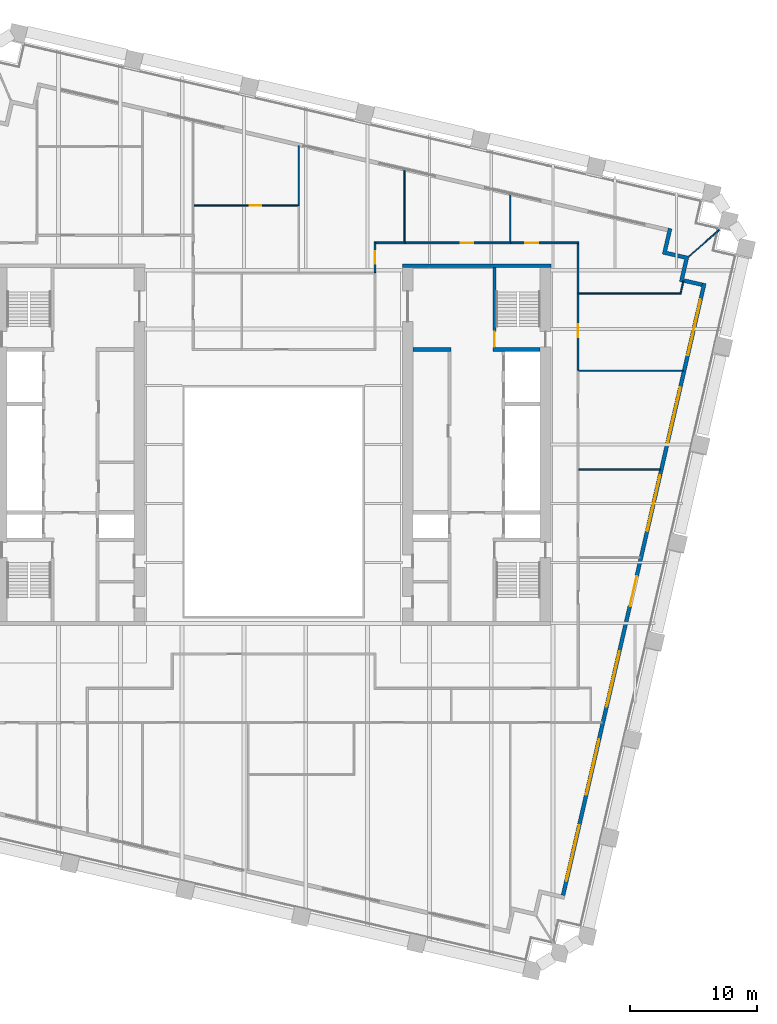
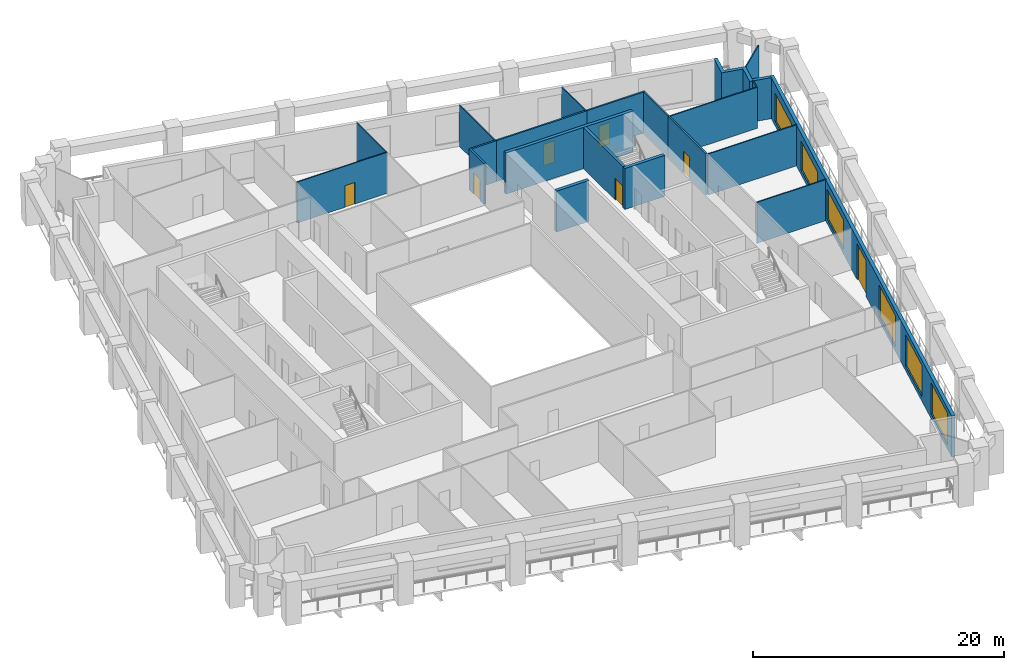
# One storey, part 8 of 11: 21 walls, 7 doors, 6 windows, 13 openings.
"""IFC4 building model written with IfcOpenShell, lengths in metres."""

from ifc_helpers import new_model, si_unit, direction, frame, frame_2d, origin, place, context, subcontext, project, spatial, polyline, rectangle, outline, extrude, material, layer, layer_set, type_object, element, fill, save


model = new_model("IFC4")

# Units and contexts
model_context = context("Model", 3, precision=1e-05, world=origin(), true_north=direction((0.0, 1.0)))
body_context = subcontext(model_context, "Body", "Model", "MODEL_VIEW")
ifc_project = project(units=[si_unit("LENGTHUNIT", "METRE"), si_unit("AREAUNIT", "SQUARE_METRE"), si_unit("VOLUMEUNIT", "CUBIC_METRE"), si_unit("PLANEANGLEUNIT", "RADIAN"), si_unit("MASSUNIT", "GRAM", prefix="KILO")], contexts=[model_context])

# Site, building, storey
site_placement = place(None, origin())
site = spatial("IfcSite", under=ifc_project, at=site_placement, CompositionType="ELEMENT")
building_placement = place(site_placement, origin())
building = spatial("IfcBuilding", under=site, at=building_placement, Name="Ogive Exchange Tower", CompositionType="ELEMENT")
storey_placement = place(building_placement, frame((0.0, 0.0, 109.800048828125)))
storey = spatial("IfcBuildingStorey", under=building, at=storey_placement, Name="L23", CompositionType="ELEMENT", Elevation=109.800048828125)

# Wall
ifc_material_1 = material(Name="Gypsum board partition")
ifc_layer_1 = layer(ifc_material_1, 0.300048828125)
ifc_layer_set_1 = layer_set([ifc_layer_1], Name="Core room partition 300 gypsum")
wall_type_1 = type_object("IfcWallType", Name="Core room partition 300 gypsum", PredefinedType="PARTITIONING", material=ifc_layer_set_1)
wall_1_placement = place(storey_placement, frame((11.0, 19.0, 0.0), z_axis=(0.0, 0.0, 1.0), x_axis=(1.0, 0.0, 0.0)))
element("IfcWall", 1, at=wall_1_placement, inside=storey, type_object=wall_type_1, Name="E row B room end wall 7", PredefinedType="PARTITIONING", context=body_context, shape_type="SweptSolid", body=[
    extrude(rectangle(XDim=3.0, YDim=0.300048828125, at=frame_2d((1.5, 0.0))), origin(), (0.0, 0.0, 1.0), 4.0),
])

# Wall, opening, door
ifc_material_2 = material(Name="Fire partition EI 60 150")
ifc_layer_2 = layer(ifc_material_2, 0.14990234375)
ifc_layer_set_2 = layer_set([ifc_layer_2], Name="Fire partition EI 60 150")
wall_type_2 = type_object("IfcWallType", Name="Fire partition EI 60 150", PredefinedType="PARTITIONING", material=ifc_layer_set_2)
wall_2_placement = place(storey_placement, frame((8.0, 25.050048828125, 0.0), z_axis=(0.0, 0.0, 1.0), x_axis=(0.0, 1.0, 0.0)))
wall_2 = element("IfcWall", 2, at=wall_2_placement, inside=storey, type_object=wall_type_2, Name="L23-PWL-054", PredefinedType="PARTITIONING", context=body_context, shape_type="SweptSolid", body=[
    extrude(rectangle(XDim=2.425048828125, YDim=0.14990234375, at=frame_2d((1.21240234375, 0.0))), origin(), (0.0, 0.0, 1.0), 4.0),
])
opening_1_placement = place(wall_2_placement, frame((0.699951171875, 0.0, 0.0)))
opening_1 = element("IfcOpeningElement", 3, at=opening_1_placement, cuts=wall_2, Name="Opening L23-I07", PredefinedType="OPENING", context=body_context, shape_type="SweptSolid", body=[
    extrude(rectangle(XDim=1.0, YDim=2.10009765625, at=frame_2d((0.5, 1.050048828125))), frame((0.0, 0.0849609375, 0.0), z_axis=(0.0, -1.0, 0.0), x_axis=(1.0, 0.0, 0.0)), (0.0, 0.0, 1.0), 0.169921875),
])
ifc_material_3 = material(Name="Fire door FD 30S 1000 x 2100")
door_type_1 = type_object("IfcDoorType", Name="Fire door FD 30S 1000 x 2100", OperationType="NOTDEFINED", PredefinedType="DOOR", material=ifc_material_3)
door_1_placement = place(opening_1_placement, origin())
door_1 = element("IfcDoor", 4, at=door_1_placement, inside=storey, type_object=door_type_1, Name="L23-IDR-007", ObjectType="DT3", OperationType="SINGLE_SWING_RIGHT", OverallHeight=2.10009765625, OverallWidth=1.0, PredefinedType="DOOR", context=body_context, shape_type="SweptSolid", body=[
    extrude(rectangle(XDim=1.0, YDim=2.10009765625, at=frame_2d((0.5, 1.050048828125))), frame((0.0, 0.02490234375, 0.0), z_axis=(0.0, -1.0, 0.0), x_axis=(1.0, 0.0, 0.0)), (0.0, 0.0, 1.0), 0.050048828125),
])
fill(opening_1, door_1)

# Wall
wall_3_placement = place(storey_placement, frame((8.074951171875, 27.39990234375, 0.0), z_axis=(0.0, 0.0, 1.0), x_axis=(1.0, 0.0, 0.0)))
element("IfcWall", 5, at=wall_3_placement, inside=storey, type_object=wall_type_2, Name="L23-PWL-055", PredefinedType="PARTITIONING", context=body_context, shape_type="SweptSolid", body=[
    extrude(rectangle(XDim=2.295166015625, YDim=0.14990234375, at=frame_2d((1.1474609375, 0.0))), origin(), (0.0, 0.0, 1.0), 4.0),
])

# Wall, opening, door
wall_4_placement = place(storey_placement, frame((10.320068359375, 27.39990234375, 0.0), z_axis=(0.0, 0.0, 1.0), x_axis=(1.0, 0.0, 0.0)))
wall_4 = element("IfcWall", 6, at=wall_4_placement, inside=storey, type_object=wall_type_2, Name="L23-PWL-057", PredefinedType="PARTITIONING", context=body_context, shape_type="SweptSolid", body=[
    extrude(rectangle(XDim=8.3798828125, YDim=0.14990234375, at=frame_2d((4.18994140625, 0.0))), origin(), (0.0, 0.0, 1.0), 4.0),
])
opening_2_placement = place(wall_4_placement, frame((4.429931640625, 0.0, 0.0)))
opening_2 = element("IfcOpeningElement", 7, at=opening_2_placement, cuts=wall_4, Name="Opening L23-I04", PredefinedType="OPENING", context=body_context, shape_type="SweptSolid", body=[
    extrude(rectangle(XDim=1.0, YDim=2.10009765625, at=frame_2d((0.5, 1.050048828125))), frame((0.0, 0.0849609375, 0.0), z_axis=(0.0, -1.0, 0.0), x_axis=(1.0, 0.0, 0.0)), (0.0, 0.0, 1.0), 0.169921875),
])
door_2_placement = place(opening_2_placement, origin())
door_2 = element("IfcDoor", 8, at=door_2_placement, inside=storey, type_object=door_type_1, Name="L23-IDR-004", ObjectType="DT3", OperationType="SINGLE_SWING_LEFT", OverallHeight=2.10009765625, OverallWidth=1.0, PredefinedType="DOOR", context=body_context, shape_type="SweptSolid", body=[
    extrude(rectangle(XDim=1.0, YDim=2.10009765625, at=frame_2d((0.5, 1.050048828125))), frame((0.0, 0.02490234375, 0.0), z_axis=(0.0, -1.0, 0.0), x_axis=(1.0, 0.0, 0.0)), (0.0, 0.0, 1.0), 0.050048828125),
])
fill(opening_2, door_2)

wall_5_placement = place(storey_placement, frame((18.699951171875, 27.39990234375, 0.0), z_axis=(0.0, 0.0, 1.0), x_axis=(1.0, 0.0, 0.0)))
wall_5 = element("IfcWall", 9, at=wall_5_placement, inside=storey, type_object=wall_type_2, Name="L23-PWL-064", PredefinedType="PARTITIONING", context=body_context, shape_type="SweptSolid", body=[
    extrude(rectangle(XDim=5.375, YDim=0.14990234375, at=frame_2d((2.6875, 0.0))), origin(), (0.0, 0.0, 1.0), 4.0),
])
opening_3_placement = place(wall_5_placement, frame((1.14990234375, 0.0, 0.0)))
opening_3 = element("IfcOpeningElement", 10, at=opening_3_placement, cuts=wall_5, Name="Opening L23-I03", PredefinedType="OPENING", context=body_context, shape_type="SweptSolid", body=[
    extrude(rectangle(XDim=1.0, YDim=2.10009765625, at=frame_2d((0.5, 1.050048828125))), frame((0.0, 0.0849609375, 0.0), z_axis=(0.0, -1.0, 0.0), x_axis=(1.0, 0.0, 0.0)), (0.0, 0.0, 1.0), 0.169921875),
])
door_3_placement = place(opening_3_placement, origin())
door_3 = element("IfcDoor", 11, at=door_3_placement, inside=storey, type_object=door_type_1, Name="L23-IDR-003", ObjectType="DT3", OperationType="SINGLE_SWING_RIGHT", OverallHeight=2.10009765625, OverallWidth=1.0, PredefinedType="DOOR", context=body_context, shape_type="SweptSolid", body=[
    extrude(rectangle(XDim=1.0, YDim=2.10009765625, at=frame_2d((0.5, 1.050048828125))), frame((0.0, 0.02490234375, 0.0), z_axis=(0.0, -1.0, 0.0), x_axis=(1.0, 0.0, 0.0)), (0.0, 0.0, 1.0), 0.050048828125),
])
fill(opening_3, door_3)

wall_6_placement = place(storey_placement, frame((24.0, 23.4599609375, 0.0), z_axis=(0.0, 0.0, 1.0), x_axis=(0.0, -1.0, 0.0)))
wall_6 = element("IfcWall", 12, at=wall_6_placement, inside=storey, type_object=wall_type_2, Name="L23-PWL-069", PredefinedType="PARTITIONING", context=body_context, shape_type="SweptSolid", body=[
    extrude(rectangle(XDim=6.08984375, YDim=0.14990234375, at=frame_2d((3.044921875, 0.0))), origin(), (0.0, 0.0, 1.0), 4.0),
])
opening_4_placement = place(wall_6_placement, frame((2.489990234375, 0.0, 0.0)))
opening_4 = element("IfcOpeningElement", 13, at=opening_4_placement, cuts=wall_6, Name="Opening L23-I02", PredefinedType="OPENING", context=body_context, shape_type="SweptSolid", body=[
    extrude(rectangle(XDim=1.0, YDim=2.10009765625, at=frame_2d((0.5, 1.050048828125))), frame((0.0, 0.0849609375, 0.0), z_axis=(0.0, -1.0, 0.0), x_axis=(1.0, 0.0, 0.0)), (0.0, 0.0, 1.0), 0.169921875),
])
door_4_placement = place(opening_4_placement, origin())
door_4 = element("IfcDoor", 14, at=door_4_placement, inside=storey, type_object=door_type_1, Name="L23-IDR-002", ObjectType="DT3", OperationType="SINGLE_SWING_RIGHT", OverallHeight=2.10009765625, OverallWidth=1.0, PredefinedType="DOOR", context=body_context, shape_type="SweptSolid", body=[
    extrude(rectangle(XDim=1.0, YDim=2.10009765625, at=frame_2d((0.5, 1.050048828125))), frame((0.0, 0.02490234375, 0.0), z_axis=(0.0, -1.0, 0.0), x_axis=(1.0, 0.0, 0.0)), (0.0, 0.0, 1.0), 0.050048828125),
])
fill(opening_4, door_4)

# Wall
wall_7_placement = place(storey_placement, frame((24.0, 27.324951171875, 0.0), z_axis=(0.0, 0.0, 1.0), x_axis=(0.0, -1.0, 0.0)))
element("IfcWall", 15, at=wall_7_placement, inside=storey, type_object=wall_type_2, Name="L23-PWL-071", PredefinedType="PARTITIONING", context=body_context, shape_type="SweptSolid", body=[
    extrude(rectangle(XDim=3.864990234375, YDim=0.14990234375, at=frame_2d((1.9326171875, 0.0))), origin(), (0.0, 0.0, 1.0), 4.0),
])

# Wall, openings, door, windows
ifc_material_4 = material(Name="Precast concrete C40/50", Category="concrete")
ifc_layer_3 = layer(ifc_material_4, 0.300048828125)
ifc_layer_set_3 = layer_set([ifc_layer_3], Name="Limestone-faced wall 300")
wall_type_3 = type_object("IfcWallType", Name="Limestone-faced wall 300", PredefinedType="STANDARD", material=ifc_layer_set_3)
wall_8_placement = place(storey_placement, frame((22.8203125, -24.015625, 0.0), z_axis=(0.0, 0.0, 1.0), x_axis=(0.224953880882, 0.974369412223, 0.0)))
wall_8 = element("IfcWall", 16, at=wall_8_placement, inside=storey, type_object=wall_type_3, Name="External wall E2", PredefinedType="STANDARD", context=body_context, shape_type="SweptSolid", body=[
    extrude(rectangle(XDim=49.500244140625, YDim=0.300048828125, at=frame_2d((24.75, 0.0))), origin(), (0.0, 0.0, 1.0), 4.0),
])
opening_5_placement = place(wall_8_placement, frame((1.156982421875, 0.0, 0.449951171875)))
opening_5 = element("IfcOpeningElement", 17, at=opening_5_placement, cuts=wall_8, Name="Opening W1", PredefinedType="OPENING", context=body_context, shape_type="SweptSolid", body=[
    extrude(rectangle(XDim=4.5, YDim=3.050048828125, at=frame_2d((2.25, 1.52490234375))), frame((0.0, 0.159912109375, 0.0), z_axis=(0.0, -1.0, 0.0), x_axis=(1.0, 0.0, 0.0)), (0.0, 0.0, 1.0), 0.320068359375),
])
opening_6_placement = place(wall_8_placement, frame((8.121337890625, 0.0, 0.449951171875)))
opening_6 = element("IfcOpeningElement", 18, at=opening_6_placement, cuts=wall_8, Name="Opening W1", PredefinedType="OPENING", context=body_context, shape_type="SweptSolid", body=[
    extrude(rectangle(XDim=4.5, YDim=3.050048828125, at=frame_2d((2.25, 1.52490234375))), frame((0.0, 0.159912109375, 0.0), z_axis=(0.0, -1.0, 0.0), x_axis=(1.0, 0.0, 0.0)), (0.0, 0.0, 1.0), 0.320068359375),
])
opening_7_placement = place(wall_8_placement, frame((15.235595703125, 0.0, 0.449951171875)))
opening_7 = element("IfcOpeningElement", 19, at=opening_7_placement, cuts=wall_8, Name="Opening W1", PredefinedType="OPENING", context=body_context, shape_type="SweptSolid", body=[
    extrude(rectangle(XDim=4.5, YDim=3.050048828125, at=frame_2d((2.25, 1.52490234375))), frame((0.0, 0.159912109375, 0.0), z_axis=(0.0, -1.0, 0.0), x_axis=(1.0, 0.0, 0.0)), (0.0, 0.0, 1.0), 0.320068359375),
])
opening_8_placement = place(wall_8_placement, frame((23.39990234375, 0.0, 0.0)))
opening_8 = element("IfcOpeningElement", 20, at=opening_8_placement, cuts=wall_8, Name="Opening D1", PredefinedType="OPENING", context=body_context, shape_type="SweptSolid", body=[
    extrude(rectangle(XDim=2.39990234375, YDim=3.5, at=frame_2d((1.199951171875, 1.75))), frame((0.0, 0.159912109375, 0.0), z_axis=(0.0, -1.0, 0.0), x_axis=(1.0, 0.0, 0.0)), (0.0, 0.0, 1.0), 0.320068359375),
])
opening_9_placement = place(wall_8_placement, frame((29.464111328125, 0.0, 0.449951171875)))
opening_9 = element("IfcOpeningElement", 21, at=opening_9_placement, cuts=wall_8, Name="Opening W1D", PredefinedType="OPENING", context=body_context, shape_type="SweptSolid", body=[
    extrude(rectangle(XDim=4.5, YDim=2.875, at=frame_2d((2.25, 1.4375))), frame((0.0, 0.159912109375, 0.0), z_axis=(0.0, -1.0, 0.0), x_axis=(1.0, 0.0, 0.0)), (0.0, 0.0, 1.0), 0.320068359375),
])
opening_10_placement = place(wall_8_placement, frame((36.57861328125, 0.0, 0.449951171875)))
opening_10 = element("IfcOpeningElement", 22, at=opening_10_placement, cuts=wall_8, Name="Opening W1E", PredefinedType="OPENING", context=body_context, shape_type="SweptSolid", body=[
    extrude(rectangle(XDim=4.5, YDim=2.824951171875, at=frame_2d((2.25, 1.41259765625))), frame((0.0, 0.159912109375, 0.0), z_axis=(0.0, -1.0, 0.0), x_axis=(1.0, 0.0, 0.0)), (0.0, 0.0, 1.0), 0.320068359375),
])
opening_11_placement = place(wall_8_placement, frame((43.69287109375, 0.0, 0.449951171875)))
opening_11 = element("IfcOpeningElement", 23, at=opening_11_placement, cuts=wall_8, Name="Opening W1H", PredefinedType="OPENING", context=body_context, shape_type="SweptSolid", body=[
    extrude(rectangle(XDim=4.5, YDim=2.75, at=frame_2d((2.25, 1.375))), frame((0.0, 0.159912109375, 0.0), z_axis=(0.0, -1.0, 0.0), x_axis=(1.0, 0.0, 0.0)), (0.0, 0.0, 1.0), 0.320068359375),
])
ifc_material_5 = material(Name="Clear glass in bronze frame", Category="glass")
door_type_2 = type_object("IfcDoorType", Name="Sliding loggia door 2400 x 3500", OperationType="DOUBLE_DOOR_SLIDING", PredefinedType="DOOR", material=ifc_material_5)
door_5_placement = place(opening_8_placement, origin())
door_5 = element("IfcDoor", 24, at=door_5_placement, inside=storey, type_object=door_type_2, Name="Loggia door E03", OperationType="DOUBLE_DOOR_SLIDING", OverallHeight=3.5, OverallWidth=2.39990234375, PredefinedType="DOOR", context=body_context, shape_type="SweptSolid", body=[
    extrude(rectangle(XDim=2.39990234375, YDim=3.5, at=frame_2d((1.199951171875, 1.75))), frame((0.0, 0.02490234375, 0.0), z_axis=(0.0, -1.0, 0.0), x_axis=(1.0, 0.0, 0.0)), (0.0, 0.0, 1.0), 0.050048828125),
])
fill(opening_8, door_5)
window_type_1 = type_object("IfcWindowType", Name="Twin lancet window 4500 x 2750", PartitioningType="DOUBLE_PANEL_VERTICAL", PredefinedType="WINDOW", material=ifc_material_5)
window_1_placement = place(opening_11_placement, origin())
window_1 = element("IfcWindow", 25, at=window_1_placement, inside=storey, type_object=window_type_1, Name="Window E06", OverallHeight=2.75, OverallWidth=4.5, PartitioningType="DOUBLE_PANEL_VERTICAL", PredefinedType="WINDOW", context=body_context, shape_type="SweptSolid", body=[
    extrude(rectangle(XDim=4.5, YDim=2.75, at=frame_2d((2.25, 1.375))), frame((0.0, 0.030029296875, 0.0), z_axis=(0.0, -1.0, 0.0), x_axis=(1.0, 0.0, 0.0)), (0.0, 0.0, 1.0), 0.06005859375),
])
fill(opening_11, window_1)
window_type_2 = type_object("IfcWindowType", Name="Twin lancet window 4500 x 2825", PartitioningType="DOUBLE_PANEL_VERTICAL", PredefinedType="WINDOW", material=ifc_material_5)
window_2_placement = place(opening_10_placement, origin())
window_2 = element("IfcWindow", 26, at=window_2_placement, inside=storey, type_object=window_type_2, Name="Window E05", OverallHeight=2.824951171875, OverallWidth=4.5, PartitioningType="DOUBLE_PANEL_VERTICAL", PredefinedType="WINDOW", context=body_context, shape_type="SweptSolid", body=[
    extrude(rectangle(XDim=4.5, YDim=2.824951171875, at=frame_2d((2.25, 1.41259765625))), frame((0.0, 0.030029296875, 0.0), z_axis=(0.0, -1.0, 0.0), x_axis=(1.0, 0.0, 0.0)), (0.0, 0.0, 1.0), 0.06005859375),
])
fill(opening_10, window_2)
window_type_3 = type_object("IfcWindowType", Name="Twin lancet window 4500 x 2875", PartitioningType="DOUBLE_PANEL_VERTICAL", PredefinedType="WINDOW", material=ifc_material_5)
window_3_placement = place(opening_9_placement, origin())
window_3 = element("IfcWindow", 27, at=window_3_placement, inside=storey, type_object=window_type_3, Name="Window E04", OverallHeight=2.875, OverallWidth=4.5, PartitioningType="DOUBLE_PANEL_VERTICAL", PredefinedType="WINDOW", context=body_context, shape_type="SweptSolid", body=[
    extrude(rectangle(XDim=4.5, YDim=2.875, at=frame_2d((2.25, 1.4375))), frame((0.0, 0.030029296875, 0.0), z_axis=(0.0, -1.0, 0.0), x_axis=(1.0, 0.0, 0.0)), (0.0, 0.0, 1.0), 0.06005859375),
])
fill(opening_9, window_3)
window_type_4 = type_object("IfcWindowType", Name="Twin lancet window 4500 x 3050", PartitioningType="DOUBLE_PANEL_VERTICAL", PredefinedType="WINDOW", material=ifc_material_5)
window_4_placement = place(opening_5_placement, origin())
window_4 = element("IfcWindow", 28, at=window_4_placement, inside=storey, type_object=window_type_4, Name="Window E00", OverallHeight=3.050048828125, OverallWidth=4.5, PartitioningType="DOUBLE_PANEL_VERTICAL", PredefinedType="WINDOW", context=body_context, shape_type="SweptSolid", body=[
    extrude(rectangle(XDim=4.5, YDim=3.050048828125, at=frame_2d((2.25, 1.52490234375))), frame((0.0, 0.030029296875, 0.0), z_axis=(0.0, -1.0, 0.0), x_axis=(1.0, 0.0, 0.0)), (0.0, 0.0, 1.0), 0.06005859375),
])
fill(opening_5, window_4)
window_5_placement = place(opening_6_placement, origin())
window_5 = element("IfcWindow", 29, at=window_5_placement, inside=storey, type_object=window_type_4, Name="Window E01", OverallHeight=3.050048828125, OverallWidth=4.5, PartitioningType="DOUBLE_PANEL_VERTICAL", PredefinedType="WINDOW", context=body_context, shape_type="SweptSolid", body=[
    extrude(rectangle(XDim=4.5, YDim=3.050048828125, at=frame_2d((2.25, 1.52490234375))), frame((0.0, 0.030029296875, 0.0), z_axis=(0.0, -1.0, 0.0), x_axis=(1.0, 0.0, 0.0)), (0.0, 0.0, 1.0), 0.06005859375),
])
fill(opening_6, window_5)
window_6_placement = place(opening_7_placement, origin())
window_6 = element("IfcWindow", 30, at=window_6_placement, inside=storey, type_object=window_type_4, Name="Window E02", OverallHeight=3.050048828125, OverallWidth=4.5, PartitioningType="DOUBLE_PANEL_VERTICAL", PredefinedType="WINDOW", context=body_context, shape_type="SweptSolid", body=[
    extrude(rectangle(XDim=4.5, YDim=3.050048828125, at=frame_2d((2.25, 1.52490234375))), frame((0.0, 0.030029296875, 0.0), z_axis=(0.0, -1.0, 0.0), x_axis=(1.0, 0.0, 0.0)), (0.0, 0.0, 1.0), 0.06005859375),
])
fill(opening_7, window_6)

# Walls
wall_9_placement = place(storey_placement, origin())
element("IfcWall", 31, at=wall_9_placement, inside=storey, type_object=wall_type_3, Name="External corner wall C2", PredefinedType="STANDARD", context=body_context, shape_type="SweptSolid", body=[
    extrude(outline(polyline([(32.392822265625, 26.115966796875), (30.638916015625, 26.52099609375), (31.111328125, 28.56689453125), (31.40380859375, 28.49951171875), (30.998779296875, 26.74560546875), (32.752685546875, 26.3408203125), (32.34765625, 24.5869140625), (33.809326171875, 24.24951171875), (33.74169921875, 23.957275390625), (31.98779296875, 24.362060546875), (32.392822265625, 26.115966796875)])), origin(), (0.0, 0.0, 1.0), 4.0),
])
ifc_material_6 = material(Name="Laminated safety glass in steel frame", Category="steel")
ifc_layer_4 = layer(ifc_material_6, 0.10009765625)
ifc_layer_set_4 = layer_set([ifc_layer_4], Name="Loggia end screen 100")
wall_type_4 = type_object("IfcWallType", Name="Loggia end screen 100", PredefinedType="STANDARD", material=ifc_layer_set_4)
wall_10_placement = place(storey_placement, frame((32.752685546875, 26.3408203125, -0.050048828125), z_axis=(0.0, 0.0, 1.0), x_axis=(0.752438025347, 0.658663053474, 0.0)))
element("IfcWall", 32, at=wall_10_placement, inside=storey, type_object=wall_type_4, Name="Loggia end screen C2", PredefinedType="STANDARD", context=body_context, shape_type="SweptSolid", body=[
    extrude(rectangle(XDim=3.163330078125, YDim=0.10009765625, at=frame_2d((1.58154296875, 0.0))), origin(), (0.0, 0.0, 1.0), 4.050048828125),
])

# Wall, opening, door
ifc_material_7 = material(Name="Partition 100 gypsum")
ifc_layer_5 = layer(ifc_material_7, 0.10009765625)
ifc_layer_set_5 = layer_set([ifc_layer_5], Name="Partition 100 gypsum")
wall_type_5 = type_object("IfcWallType", Name="Partition 100 gypsum", PredefinedType="PARTITIONING", material=ifc_layer_set_5)
wall_11_placement = place(storey_placement, frame((-6.2900390625, 30.340087890625, 0.0), z_axis=(0.0, 0.0, 1.0), x_axis=(1.0, 0.0, 0.0)))
wall_11 = element("IfcWall", 33, at=wall_11_placement, inside=storey, type_object=wall_type_5, Name="L23-PWL-038", PredefinedType="PARTITIONING", context=body_context, shape_type="SweptSolid", body=[
    extrude(rectangle(XDim=8.330078125, YDim=0.10009765625, at=frame_2d((4.1650390625, 0.0))), origin(), (0.0, 0.0, 1.0), 4.0),
])
opening_12_placement = place(wall_11_placement, frame((4.429931640625, 0.0, 0.0)))
opening_12 = element("IfcOpeningElement", 34, at=opening_12_placement, cuts=wall_11, Name="Opening L23-I09", PredefinedType="OPENING", context=body_context, shape_type="SweptSolid", body=[
    extrude(rectangle(XDim=0.89990234375, YDim=2.10009765625, at=frame_2d((0.449951171875, 1.050048828125))), frame((0.0, 0.06005859375, 0.0), z_axis=(0.0, -1.0, 0.0), x_axis=(1.0, 0.0, 0.0)), (0.0, 0.0, 1.0), 0.1201171875),
])
ifc_material_8 = material(Name="Door 900 x 2100")
door_type_3 = type_object("IfcDoorType", Name="Door 900 x 2100", OperationType="NOTDEFINED", PredefinedType="DOOR", material=ifc_material_8)
door_6_placement = place(opening_12_placement, frame((0.89990234375, 0.0, 0.0), z_axis=(0.0, 0.0, 1.0), x_axis=(-1.0, 0.0, 0.0)))
door_6 = element("IfcDoor", 35, at=door_6_placement, inside=storey, type_object=door_type_3, Name="L23-IDR-009", ObjectType="DT1", OperationType="SINGLE_SWING_RIGHT", OverallHeight=2.10009765625, OverallWidth=0.89990234375, PredefinedType="DOOR", context=body_context, shape_type="SweptSolid", body=[
    extrude(rectangle(XDim=0.89990234375, YDim=2.10009765625, at=frame_2d((0.449951171875, 1.050048828125))), frame((0.0, 0.02490234375, 0.0), z_axis=(0.0, -1.0, 0.0), x_axis=(1.0, 0.0, 0.0)), (0.0, 0.0, 1.0), 0.050048828125),
])
fill(opening_12, door_6)

# Walls
wall_12_placement = place(storey_placement, frame((1.989990234375, 30.389892578125, 0.0), z_axis=(0.0, 0.0, 1.0), x_axis=(0.0, 1.0, 0.0)))
element("IfcWall", 36, at=wall_12_placement, inside=storey, type_object=wall_type_5, Name="L23-PWL-048", PredefinedType="PARTITIONING", context=body_context, shape_type="SweptSolid", body=[
    extrude(rectangle(XDim=4.675048828125, YDim=0.10009765625, at=frame_2d((2.33740234375, 0.0))), origin(), (0.0, 0.0, 1.0), 4.0),
])
wall_13_placement = place(storey_placement, frame((10.320068359375, 27.47509765625, 0.0), z_axis=(0.0, 0.0, 1.0), x_axis=(0.0, 1.0, 0.0)))
element("IfcWall", 37, at=wall_13_placement, inside=storey, type_object=wall_type_5, Name="L23-PWL-056", PredefinedType="PARTITIONING", context=body_context, shape_type="SweptSolid", body=[
    extrude(rectangle(XDim=5.6669921875, YDim=0.10009765625, at=frame_2d((2.83349609375, 0.0))), origin(), (0.0, 0.0, 1.0), 4.0),
])
wall_14_placement = place(storey_placement, frame((18.64990234375, 27.47509765625, 0.0), z_axis=(0.0, 0.0, 1.0), x_axis=(0.0, 1.0, 0.0)))
element("IfcWall", 38, at=wall_14_placement, inside=storey, type_object=wall_type_5, Name="L23-PWL-063", PredefinedType="PARTITIONING", context=body_context, shape_type="SweptSolid", body=[
    extrude(rectangle(XDim=3.743896484375, YDim=0.10009765625, at=frame_2d((1.8720703125, 0.0))), origin(), (0.0, 0.0, 1.0), 4.0),
])
wall_15_placement = place(storey_placement, frame((24.074951171875, 17.320068359375, 0.0), z_axis=(0.0, 0.0, 1.0), x_axis=(1.0, 0.0, 0.0)))
element("IfcWall", 39, at=wall_15_placement, inside=storey, type_object=wall_type_5, Name="L23-PWL-068", PredefinedType="PARTITIONING", context=body_context, shape_type="SweptSolid", body=[
    extrude(rectangle(XDim=8.217041015625, YDim=0.10009765625, at=frame_2d((4.1083984375, 0.0))), origin(), (0.0, 0.0, 1.0), 4.0),
])
wall_16_placement = place(storey_placement, frame((24.074951171875, 23.409912109375, 0.0), z_axis=(0.0, 0.0, 1.0), x_axis=(1.0, 0.0, 0.0)))
element("IfcWall", 40, at=wall_16_placement, inside=storey, type_object=wall_type_5, Name="L23-PWL-070", PredefinedType="PARTITIONING", context=body_context, shape_type="SweptSolid", body=[
    extrude(rectangle(XDim=8.054931640625, YDim=0.10009765625, at=frame_2d((4.02734375, 0.0))), origin(), (0.0, 0.0, 1.0), 4.0),
])
wall_17_placement = place(storey_placement, frame((30.498046875, 9.550048828125, 0.0), z_axis=(0.0, 0.0, 1.0), x_axis=(-1.0, 0.0, 0.0)))
element("IfcWall", 41, at=wall_17_placement, inside=storey, type_object=wall_type_5, Name="L23-PWL-078", PredefinedType="PARTITIONING", context=body_context, shape_type="SweptSolid", body=[
    extrude(rectangle(XDim=6.423095703125, YDim=0.10009765625, at=frame_2d((3.21142578125, 0.0))), origin(), (0.0, 0.0, 1.0), 4.0),
])
wall_18_placement = place(storey_placement, frame((32.091064453125, 23.458984375, 0.0), z_axis=(0.0, 0.0, 1.0), x_axis=(0.223406444343, 0.97472537703, 0.0)))
element("IfcWall", 42, at=wall_18_placement, inside=storey, type_object=wall_type_5, Name="L23-PWL-079", PredefinedType="PARTITIONING", context=body_context, shape_type="SweptSolid", body=[
    extrude(rectangle(XDim=0.957275390625, YDim=0.10009765625, at=frame_2d((0.478515625, 0.0))), origin(), (0.0, 0.0, 1.0), 4.0),
])

# Wall, opening, door
ifc_material_9 = material(Name="Concrete C70/85", Category="concrete")
ifc_layer_6 = layer(ifc_material_9, 0.25)
ifc_layer_set_6 = layer_set([ifc_layer_6], Name="RC core wall 250 C70/85")
wall_type_6 = type_object("IfcWallType", Name="RC core wall 250 C70/85", PredefinedType="SHEAR", material=ifc_layer_set_6)
wall_19_placement = place(storey_placement, frame((17.425048828125, 19.14990234375, 0.0), z_axis=(0.0, 0.0, 1.0), x_axis=(0.0, 1.0, 0.0)))
wall_19 = element("IfcWall", 43, at=wall_19_placement, inside=storey, type_object=wall_type_6, Name="E stair N front wall", PredefinedType="SHEAR", context=body_context, shape_type="SweptSolid", body=[
    extrude(rectangle(XDim=6.300048828125, YDim=0.25, at=frame_2d((3.14990234375, 0.0))), origin(), (0.0, 0.0, 1.0), 4.0),
])
opening_13_placement = place(wall_19_placement, frame((0.050048828125, 0.0, 0.0)))
opening_13 = element("IfcOpeningElement", 44, at=opening_13_placement, cuts=wall_19, Name="Opening L23-C32", PredefinedType="OPENING", context=body_context, shape_type="SweptSolid", body=[
    extrude(rectangle(XDim=1.199951171875, YDim=2.10009765625, at=frame_2d((0.60009765625, 1.050048828125))), frame((0.0, 0.135009765625, 0.0), z_axis=(0.0, -1.0, 0.0), x_axis=(1.0, 0.0, 0.0)), (0.0, 0.0, 1.0), 0.27001953125),
])
ifc_material_10 = material(Name="Steel fire door", Category="steel")
door_type_4 = type_object("IfcDoorType", Name="Stair door FD90 1200 x 2100", OperationType="NOTDEFINED", PredefinedType="DOOR", material=ifc_material_10)
door_7_placement = place(opening_13_placement, frame((1.199951171875, 0.0, 0.0), z_axis=(0.0, 0.0, 1.0), x_axis=(-1.0, 0.0, 0.0)))
door_7 = element("IfcDoor", 45, at=door_7_placement, inside=storey, type_object=door_type_4, Name="Stair door", ObjectType="CD5", OperationType="SINGLE_SWING_LEFT", OverallHeight=2.10009765625, OverallWidth=1.199951171875, PredefinedType="DOOR", context=body_context, shape_type="SweptSolid", body=[
    extrude(rectangle(XDim=1.199951171875, YDim=2.10009765625, at=frame_2d((0.60009765625, 1.050048828125))), frame((0.0, 0.02490234375, 0.0), z_axis=(0.0, -1.0, 0.0), x_axis=(1.0, 0.0, 0.0)), (0.0, 0.0, 1.0), 0.050048828125),
])
fill(opening_13, door_7)

# Walls
ifc_layer_7 = layer(ifc_material_9, 0.300048828125)
ifc_layer_set_7 = layer_set([ifc_layer_7], Name="RC core wall 300 C70/85")
wall_type_7 = type_object("IfcWallType", Name="RC core wall 300 C70/85", PredefinedType="SHEAR", material=ifc_layer_set_7)
wall_20_placement = place(storey_placement, frame((10.14990234375, 25.60009765625, 0.0), z_axis=(0.0, 0.0, 1.0), x_axis=(1.0, 0.0, 0.0)))
element("IfcWall", 46, at=wall_20_placement, inside=storey, type_object=wall_type_7, Name="E north end wall", PredefinedType="SHEAR", context=body_context, shape_type="SweptSolid", body=[
    extrude(rectangle(XDim=11.7001953125, YDim=0.300048828125, at=frame_2d((5.85009765625, 0.0))), origin(), (0.0, 0.0, 1.0), 4.0),
])
wall_21_placement = place(storey_placement, frame((17.300048828125, 19.0, 0.0), z_axis=(0.0, 0.0, 1.0), x_axis=(1.0, 0.0, 0.0)))
element("IfcWall", 47, at=wall_21_placement, inside=storey, type_object=wall_type_7, Name="E stair N south wall", PredefinedType="SHEAR", context=body_context, shape_type="SweptSolid", body=[
    extrude(rectangle(XDim=3.699951171875, YDim=0.300048828125, at=frame_2d((1.85009765625, 0.0))), origin(), (0.0, 0.0, 1.0), 4.0),
])

save(model, "model.ifc")
